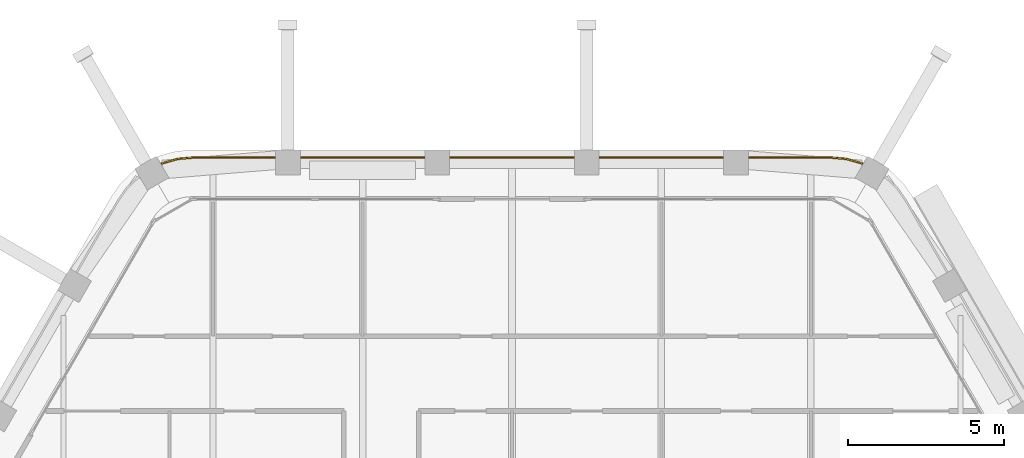
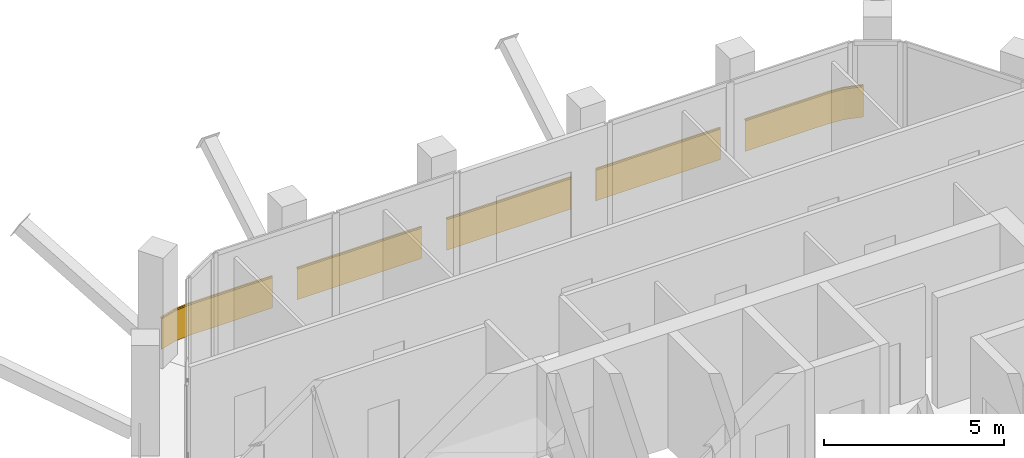
# One storey, part 14 of 14: 1 railing.
"""IFC4 building model written with IfcOpenShell, lengths in metres."""

from ifc_helpers import new_model, si_unit, direction, frame, frame_2d, origin, origin_2d, place, context, subcontext, project, spatial, rectangle, extrude, material, type_object, element, save


model = new_model("IFC4")

# Units and contexts
model_context = context("Model", 3, precision=1e-05, world=origin(), true_north=direction((0.0, 1.0)))
body_context = subcontext(model_context, "Body", "Model", "MODEL_VIEW")
ifc_project = project(units=[si_unit("LENGTHUNIT", "METRE"), si_unit("AREAUNIT", "SQUARE_METRE"), si_unit("VOLUMEUNIT", "CUBIC_METRE"), si_unit("PLANEANGLEUNIT", "RADIAN"), si_unit("MASSUNIT", "GRAM", prefix="KILO")], contexts=[model_context])

# Site, building, storey
site_placement = place(None, origin())
site = spatial("IfcSite", under=ifc_project, at=site_placement, CompositionType="ELEMENT")
building_placement = place(site_placement, origin())
building = spatial("IfcBuilding", under=site, at=building_placement, Name="Kolab Exchange Tower", CompositionType="ELEMENT")
storey_placement = place(building_placement, frame((0.0, 0.0, 250.10009765625)))
storey = spatial("IfcBuildingStorey", under=building, at=storey_placement, Name="L55", CompositionType="ELEMENT", Elevation=250.10009765625)

# Railing
ifc_material = material(Name="Steel S235", Category="steel")
railing_type = type_object("IfcRailingType", Name="GUARD 1100 GLASS BALUSTRADE AND STEEL TOP RAIL", PredefinedType="GUARDRAIL", material=ifc_material)
railing_placement = place(storey_placement, frame((11.280517578125, 20.335205078125, 0.0)))
element("IfcRailing", 1, at=railing_placement, inside=storey, type_object=railing_type, Name="Guard", PredefinedType="GUARDRAIL", context=body_context, shape_type="SweptSolid", body=[
    extrude(rectangle(XDim=0.05, YDim=0.05, at=origin_2d()), frame((0.0, 0.0, 1.0751953125), z_axis=(-0.959212061764, 0.282687496304, 0.0), x_axis=(-0.282687496304, -0.959212061764, 0.0)), (0.0, 0.0, 1.0), 0.557861328125),
    extrude(rectangle(XDim=0.012, YDim=1.05009765625, at=frame_2d((0.0, 0.525146484375))), frame((0.0, 0.0, 0.0), z_axis=(-0.959212061764, 0.282687496304, 0.0), x_axis=(-0.282687496304, -0.959212061764, 0.0)), (0.0, 0.0, 1.0), 0.557861328125),
    extrude(rectangle(XDim=0.05, YDim=0.05, at=origin_2d()), frame((-0.53515625, 0.15771484375, 1.0751953125), z_axis=(-0.996196482496, 0.087135344505, 0.0), x_axis=(-0.087135344505, -0.996196482496, 0.0)), (0.0, 0.0, 1.0), 0.47900390625),
    extrude(rectangle(XDim=0.012, YDim=1.05009765625, at=frame_2d((0.0, 0.525146484375))), frame((-0.53515625, 0.15771484375, 0.0), z_axis=(-0.996196482496, 0.087135344505, 0.0), x_axis=(-0.087135344505, -0.996196482496, 0.0)), (0.0, 0.0, 1.0), 0.47900390625),
    extrude(rectangle(XDim=0.05, YDim=0.05, at=origin_2d()), frame((-1.012451171875, 0.199462890625, 1.0751953125), z_axis=(-1.0, 0.0, 0.0), x_axis=(0.0, -1.0, 0.0)), (0.0, 0.0, 1.0), 2.66796875),
    extrude(rectangle(XDim=0.012, YDim=1.05009765625, at=frame_2d((0.0, 0.525146484375))), frame((-1.012451171875, 0.199462890625, 0.0), z_axis=(-1.0, 0.0, 0.0), x_axis=(0.0, -1.0, 0.0)), (0.0, 0.0, 1.0), 2.66796875),
    extrude(rectangle(XDim=0.05, YDim=0.05, at=origin_2d()), frame((-4.48046875, 0.199462890625, 1.0751953125), z_axis=(-1.0, 0.0, 0.0), x_axis=(0.0, -1.0, 0.0)), (0.0, 0.0, 1.0), 4.0),
    extrude(rectangle(XDim=0.012, YDim=1.05009765625, at=frame_2d((0.0, 0.525146484375))), frame((-4.48046875, 0.199462890625, 0.0), z_axis=(-1.0, 0.0, 0.0), x_axis=(0.0, -1.0, 0.0)), (0.0, 0.0, 1.0), 4.0),
    extrude(rectangle(XDim=0.05, YDim=0.05, at=origin_2d()), frame((-9.280517578125, 0.199462890625, 1.0751953125), z_axis=(-1.0, 0.0, 0.0), x_axis=(0.0, -1.0, 0.0)), (0.0, 0.0, 1.0), 4.0),
    extrude(rectangle(XDim=0.012, YDim=1.05009765625, at=frame_2d((0.0, 0.525146484375))), frame((-9.280517578125, 0.199462890625, 0.0), z_axis=(-1.0, 0.0, 0.0), x_axis=(0.0, -1.0, 0.0)), (0.0, 0.0, 1.0), 4.0),
    extrude(rectangle(XDim=0.05, YDim=0.05, at=origin_2d()), frame((-14.08056640625, 0.199462890625, 1.0751953125), z_axis=(-1.0, 0.0, 0.0), x_axis=(0.0, -1.0, 0.0)), (0.0, 0.0, 1.0), 4.0),
    extrude(rectangle(XDim=0.012, YDim=1.05009765625, at=frame_2d((0.0, 0.525146484375))), frame((-14.08056640625, 0.199462890625, 0.0), z_axis=(-1.0, 0.0, 0.0), x_axis=(0.0, -1.0, 0.0)), (0.0, 0.0, 1.0), 4.0),
    extrude(rectangle(XDim=0.05, YDim=0.05, at=origin_2d()), frame((-18.880615234375, 0.199462890625, 1.0751953125), z_axis=(-1.0, 0.0, 0.0), x_axis=(0.0, -1.0, 0.0)), (0.0, 0.0, 1.0), 2.66796875),
    extrude(rectangle(XDim=0.012, YDim=1.05009765625, at=frame_2d((0.0, 0.525146484375))), frame((-18.880615234375, 0.199462890625, 0.0), z_axis=(-1.0, 0.0, 0.0), x_axis=(0.0, -1.0, 0.0)), (0.0, 0.0, 1.0), 2.66796875),
    extrude(rectangle(XDim=0.05, YDim=0.05, at=origin_2d()), frame((-21.548583984375, 0.199462890625, 1.0751953125), z_axis=(-0.996196482496, -0.087135344505, 0.0), x_axis=(0.087135344505, -0.996196482496, 0.0)), (0.0, 0.0, 1.0), 0.47900390625),
    extrude(rectangle(XDim=0.012, YDim=1.05009765625, at=frame_2d((0.0, 0.525146484375))), frame((-21.548583984375, 0.199462890625, 0.0), z_axis=(-0.996196482496, -0.087135344505, 0.0), x_axis=(0.087135344505, -0.996196482496, 0.0)), (0.0, 0.0, 1.0), 0.47900390625),
    extrude(rectangle(XDim=0.05, YDim=0.05, at=origin_2d()), frame((-22.02587890625, 0.15771484375, 1.0751953125), z_axis=(-0.959212061764, -0.282687496304, 0.0), x_axis=(0.282687496304, -0.959212061764, 0.0)), (0.0, 0.0, 1.0), 0.557861328125),
    extrude(rectangle(XDim=0.012, YDim=1.05009765625, at=frame_2d((0.0, 0.525146484375))), frame((-22.02587890625, 0.15771484375, 0.0), z_axis=(-0.959212061764, -0.282687496304, 0.0), x_axis=(0.282687496304, -0.959212061764, 0.0)), (0.0, 0.0, 1.0), 0.557861328125),
])

save(model, "model.ifc")
